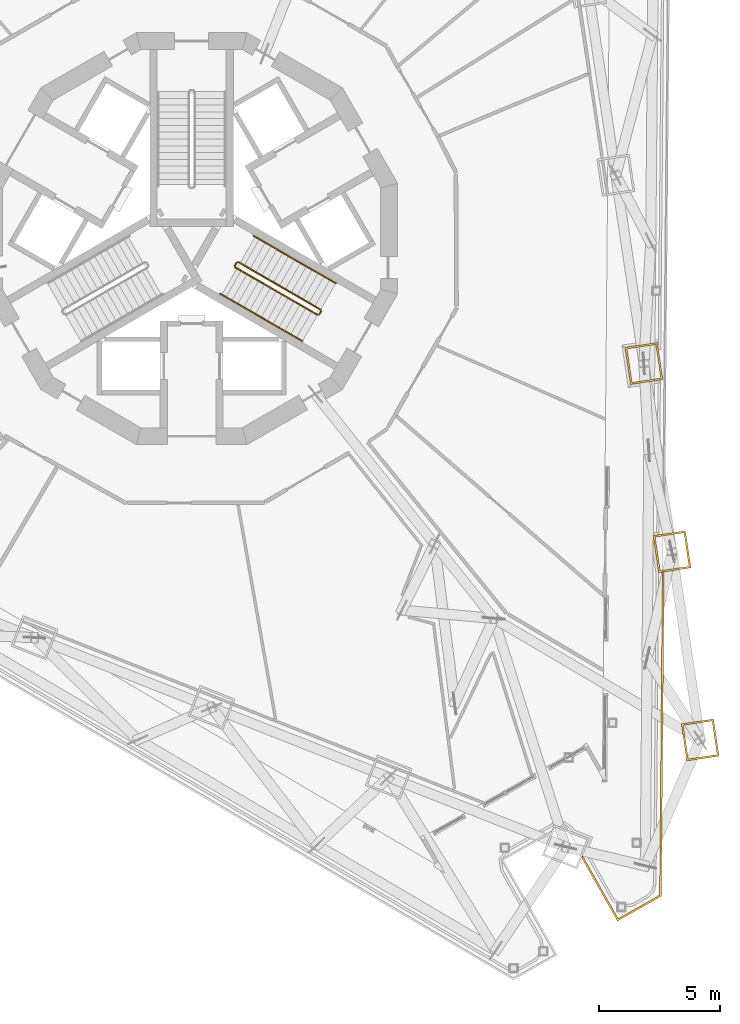
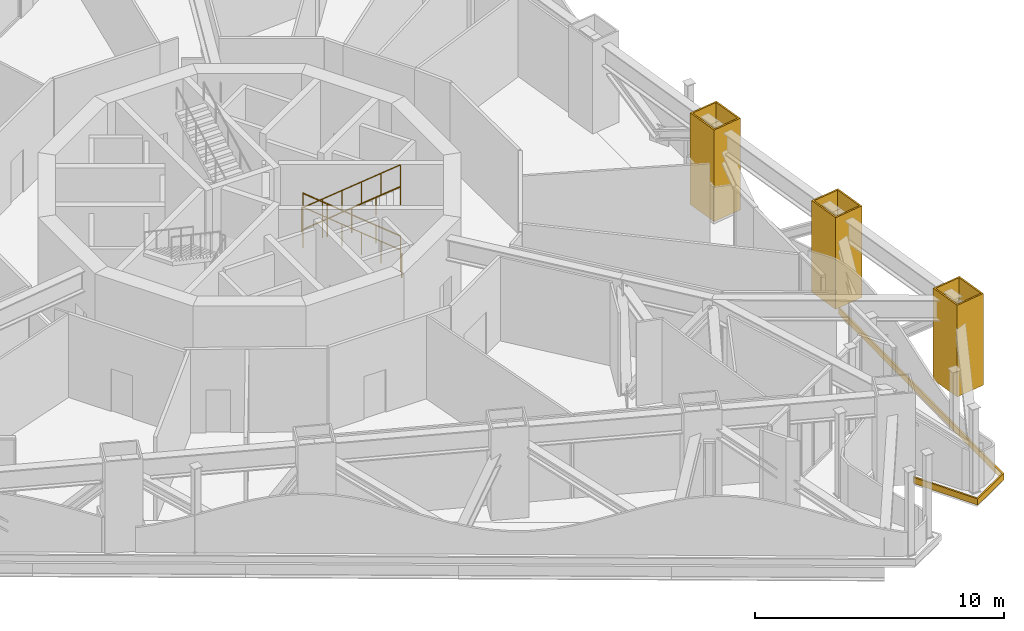
# One storey, part 22 of 27: 8 railings, 4 coverings.
"""IFC4 building model written with IfcOpenShell, lengths in metres."""

from ifc_helpers import new_model, si_unit, direction, frame, origin, origin_2d, place, context, subcontext, project, spatial, polyline, circle, outline, extrude, material, layer, layer_set, type_object, element, save


model = new_model("IFC4")

# Units and contexts
model_context = context("Model", 3, precision=1e-05, world=origin(), true_north=direction((0.0, 1.0)))
body_context = subcontext(model_context, "Body", "Model", "MODEL_VIEW")
ifc_project = project(units=[si_unit("LENGTHUNIT", "METRE"), si_unit("AREAUNIT", "SQUARE_METRE"), si_unit("VOLUMEUNIT", "CUBIC_METRE"), si_unit("PLANEANGLEUNIT", "RADIAN"), si_unit("MASSUNIT", "GRAM", prefix="KILO")], contexts=[model_context])

# Site, building, storey
site_placement = place(None, origin())
site = spatial("IfcSite", under=ifc_project, at=site_placement, CompositionType="ELEMENT")
building_placement = place(site_placement, origin())
building = spatial("IfcBuilding", under=site, at=building_placement, Name="Trine Commons Tower", CompositionType="ELEMENT")
storey_placement = place(building_placement, frame((0.0, 0.0, 193.5)))
storey = spatial("IfcBuildingStorey", under=building, at=storey_placement, Name="L50", CompositionType="ELEMENT", Elevation=193.5)

# Coverings
ifc_material_1 = material(Name="Limestone, honed", Category="masonry")
ifc_layer_1 = layer(ifc_material_1, 0.074951171875)
ifc_layer_set_1 = layer_set([ifc_layer_1], Name="Limestone, honed")
covering_type_1 = type_object("IfcCoveringType", Name="Limestone column cladding 75", PredefinedType="CLADDING", material=ifc_layer_set_1)
covering_1_placement = place(storey_placement, origin())
element("IfcCovering", 1, at=covering_1_placement, inside=storey, type_object=covering_type_1, Name="Limestone pier cladding 6-19", PredefinedType="CLADDING", context=body_context, shape_type="SweptSolid", body=[
    extrude(outline(polyline([(99.20947265625, 58.216796875), (97.87451171875, 58.01708984375), (98.103515625, 56.484130859375), (99.438720703125, 56.68359375), (99.20947265625, 58.216796875)]), holes=[polyline([(99.146484375, 58.13134765625), (97.959716796875, 57.9541015625), (98.16650390625, 56.5693359375), (99.353515625, 56.746826171875), (99.146484375, 58.13134765625)])]), origin(), (0.0, 0.0, 1.0), 4.5),
])
covering_2_placement = place(storey_placement, origin())
element("IfcCovering", 2, at=covering_2_placement, inside=storey, type_object=covering_type_1, Name="Limestone pier cladding 6-20", PredefinedType="CLADDING", context=body_context, shape_type="SweptSolid", body=[
    extrude(outline(polyline([(100.369873046875, 50.452392578125), (99.034912109375, 50.252685546875), (99.263916015625, 48.7197265625), (100.59912109375, 48.91943359375), (100.369873046875, 50.452392578125)]), holes=[polyline([(100.306884765625, 50.3671875), (99.1201171875, 50.189697265625), (99.326904296875, 48.80517578125), (100.513916015625, 48.982421875), (100.306884765625, 50.3671875)])]), origin(), (0.0, 0.0, 1.0), 4.5),
])
covering_3_placement = place(storey_placement, origin())
element("IfcCovering", 3, at=covering_3_placement, inside=storey, type_object=covering_type_1, Name="Limestone pier cladding 6-21", PredefinedType="CLADDING", context=body_context, shape_type="SweptSolid", body=[
    extrude(outline(polyline([(101.5302734375, 42.68798828125), (100.1953125, 42.48828125), (100.42431640625, 40.955322265625), (101.759521484375, 41.155029296875), (101.5302734375, 42.68798828125)]), holes=[polyline([(101.46728515625, 42.602783203125), (100.280517578125, 42.42529296875), (100.4873046875, 41.040771484375), (101.67431640625, 41.218017578125), (101.46728515625, 42.602783203125)])]), origin(), (0.0, 0.0, 1.0), 4.5),
])
ifc_layer_2 = layer(ifc_material_1, 0.074951171875)
ifc_layer_set_2 = layer_set([ifc_layer_2], Name="Limestone, honed")
covering_type_2 = type_object("IfcCoveringType", Name="Limestone spandrel panel 75", PredefinedType="CLADDING", material=ifc_layer_set_2)
covering_4_placement = place(storey_placement, frame((0.0, 0.0, -0.300048828125)))
element("IfcCovering", 4, at=covering_4_placement, inside=storey, type_object=covering_type_2, Name="Limestone spandrel panel 5-05", PredefinedType="CLADDING", context=body_context, shape_type="SweptSolid", body=[
    extrude(outline(polyline([(96.086181640625, 36.96142578125), (97.564208984375, 34.349365234375), (99.376708984375, 35.374755859375), (99.493408203125, 48.754150390625), (99.418212890625, 48.742919921875), (99.302001953125, 35.418701171875), (97.592529296875, 34.45166015625), (96.12158203125, 37.05126953125), (96.086181640625, 36.96142578125)])), origin(), (0.0, 0.0, 1.0), 0.300048828125),
])

# Railings
ifc_material_2 = material(Name="Stainless steel balustrade", Category="steel")
railing_type_1 = type_object("IfcRailingType", Name="Stair guard, steel balustrade 1100", PredefinedType="GUARDRAIL", material=ifc_material_2)
railing_1_placement = place(storey_placement, frame((85.31982421875, 59.572998046875, 0.14990234375)))
element("IfcRailing", 5, at=railing_1_placement, inside=storey, type_object=railing_type_1, Name="L50 ST3C stair guard 1", PredefinedType="GUARDRAIL", context=body_context, shape_type="SweptSolid", body=[
    extrude(circle(Radius=0.02392578125, at=origin_2d()), frame((0.0, 0.0, 1.076171875), z_axis=(-0.763374939589, 0.440731680332, 0.472243885677), x_axis=(-0.499997407846, -0.86602690036, 0.0)), (0.0, 0.0, 1.0), 4.447021484375),
    extrude(circle(Radius=0.02099609375, at=origin_2d()), origin(), (0.0, 0.0, 1.0), 1.052001953125),
    extrude(circle(Radius=0.02099609375, at=origin_2d()), frame((-0.678955078125, 0.39208984375, 0.419921875)), (0.0, 0.0, 1.0), 1.052001953125),
    extrude(circle(Radius=0.02099609375, at=origin_2d()), frame((-1.35791015625, 0.783935546875, 0.840087890625)), (0.0, 0.0, 1.0), 1.052001953125),
    extrude(circle(Radius=0.02099609375, at=origin_2d()), frame((-2.036865234375, 1.176025390625, 1.260009765625)), (0.0, 0.0, 1.0), 1.052001953125),
    extrude(circle(Radius=0.02099609375, at=origin_2d()), frame((-2.7158203125, 1.56787109375, 1.68017578125)), (0.0, 0.0, 1.0), 1.052001953125),
    extrude(circle(Radius=0.02099609375, at=origin_2d()), frame((-3.394775390625, 1.9599609375, 2.10009765625)), (0.0, 0.0, 1.0), 1.052001953125),
])
railing_2_placement = place(storey_placement, frame((81.856689453125, 61.5146484375, 2.25)))
element("IfcRailing", 6, at=railing_2_placement, inside=storey, type_object=railing_type_1, Name="L50 ST3C stair guard 2", PredefinedType="GUARDRAIL", context=body_context, shape_type="SweptSolid", body=[
    extrude(circle(Radius=0.02392578125, at=origin_2d()), frame((0.0, 0.0, 1.076171875), z_axis=(-0.499816412211, -0.866131372301, 0.0), x_axis=(0.866131372301, -0.499816412211, 0.0)), (0.0, 0.0, 1.0), 0.14990234375),
    extrude(circle(Radius=0.02099609375, at=origin_2d()), origin(), (0.0, 0.0, 1.0), 1.052001953125),
    extrude(circle(Radius=0.02099609375, at=origin_2d()), frame((-0.074951171875, -0.1298828125, 0.0)), (0.0, 0.0, 1.0), 1.052001953125),
])
railing_3_placement = place(storey_placement, frame((81.800048828125, 61.31640625, 2.39990234375)))
element("IfcRailing", 7, at=railing_3_placement, inside=storey, type_object=railing_type_1, Name="L50 ST3C stair guard 3", PredefinedType="GUARDRAIL", context=body_context, shape_type="SweptSolid", body=[
    extrude(circle(Radius=0.02392578125, at=origin_2d()), frame((0.0, 0.0, 1.076171875), z_axis=(0.763374939589, -0.440731680332, 0.472243885677), x_axis=(0.499997407846, 0.86602690036, 0.0)), (0.0, 0.0, 1.0), 4.447021484375),
    extrude(circle(Radius=0.02099609375, at=origin_2d()), origin(), (0.0, 0.0, 1.0), 1.052001953125),
    extrude(circle(Radius=0.02099609375, at=origin_2d()), frame((0.678955078125, -0.39208984375, 0.419921875)), (0.0, 0.0, 1.0), 1.052001953125),
    extrude(circle(Radius=0.02099609375, at=origin_2d()), frame((1.35791015625, -0.783935546875, 0.840087890625)), (0.0, 0.0, 1.0), 1.052001953125),
    extrude(circle(Radius=0.02099609375, at=origin_2d()), frame((2.036865234375, -1.176025390625, 1.260009765625)), (0.0, 0.0, 1.0), 1.052001953125),
    extrude(circle(Radius=0.02099609375, at=origin_2d()), frame((2.7158203125, -1.56787109375, 1.68017578125)), (0.0, 0.0, 1.0), 1.052001953125),
    extrude(circle(Radius=0.02099609375, at=origin_2d()), frame((3.394775390625, -1.9599609375, 2.10009765625)), (0.0, 0.0, 1.0), 1.052001953125),
])
railing_4_placement = place(storey_placement, frame((85.338134765625, 59.504638671875, 0.0)))
element("IfcRailing", 8, at=railing_4_placement, inside=storey, type_object=railing_type_1, Name="L50 ST3C stair guard 4", PredefinedType="GUARDRAIL", context=body_context, shape_type="SweptSolid", body=[
    extrude(circle(Radius=0.02392578125, at=origin_2d()), frame((0.0, 0.0, 1.076171875), z_axis=(-0.499816412211, -0.866131372301, 0.0), x_axis=(0.866131372301, -0.499816412211, 0.0)), (0.0, 0.0, 1.0), 0.14990234375),
    extrude(circle(Radius=0.02099609375, at=origin_2d()), origin(), (0.0, 0.0, 1.0), 1.052001953125),
    extrude(circle(Radius=0.02099609375, at=origin_2d()), frame((-0.074951171875, -0.1298828125, 0.0)), (0.0, 0.0, 1.0), 1.052001953125),
])
ifc_material_3 = material(Name="Stainless steel handrail", Category="steel")
railing_type_2 = type_object("IfcRailingType", Name="Stair handrail, steel 900", PredefinedType="HANDRAIL", material=ifc_material_3)
railing_5_placement = place(storey_placement, frame((85.94482421875, 60.655517578125, 0.14990234375)))
element("IfcRailing", 9, at=railing_5_placement, inside=storey, type_object=railing_type_2, Name="L50 ST3C stair handrail 1", PredefinedType="HANDRAIL", context=body_context, shape_type="SweptSolid", body=[
    extrude(circle(Radius=0.02099609375, at=origin_2d()), frame((0.0, 0.0, 0.87890625), z_axis=(-0.763397845365, 0.440713210311, 0.472224095054), x_axis=(-0.499970440388, -0.866042469362, 0.0)), (0.0, 0.0, 1.0), 2.2236328125),
    extrude(circle(Radius=0.01513671875, at=origin_2d()), origin(), (0.0, 0.0, 1.0), 0.85791015625),
    extrude(circle(Radius=0.01513671875, at=origin_2d()), frame((-0.8486328125, 0.489990234375, 0.52490234375)), (0.0, 0.0, 1.0), 0.85791015625),
    extrude(circle(Radius=0.01513671875, at=origin_2d()), frame((-1.697509765625, 0.97998046875, 1.050048828125)), (0.0, 0.0, 1.0), 0.85791015625),
])
railing_6_placement = place(storey_placement, frame((84.247314453125, 61.635498046875, 1.199951171875)))
element("IfcRailing", 10, at=railing_6_placement, inside=storey, type_object=railing_type_2, Name="L50 ST3C stair handrail 2", PredefinedType="HANDRAIL", context=body_context, shape_type="SweptSolid", body=[
    extrude(circle(Radius=0.02099609375, at=origin_2d()), frame((0.0, 0.0, 0.87890625), z_axis=(-0.763352030933, 0.440750151347, 0.472263677365), x_axis=(-0.500024377727, -0.866011328839, 0.0)), (0.0, 0.0, 1.0), 2.223388671875),
    extrude(circle(Radius=0.01513671875, at=origin_2d()), origin(), (0.0, 0.0, 1.0), 0.85791015625),
    extrude(circle(Radius=0.01513671875, at=origin_2d()), frame((-0.8486328125, 0.489990234375, 0.52490234375)), (0.0, 0.0, 1.0), 0.85791015625),
    extrude(circle(Radius=0.01513671875, at=origin_2d()), frame((-1.697265625, 0.97998046875, 1.050048828125)), (0.0, 0.0, 1.0), 0.85791015625),
])
railing_7_placement = place(storey_placement, frame((81.175048828125, 60.23388671875, 2.39990234375)))
element("IfcRailing", 11, at=railing_7_placement, inside=storey, type_object=railing_type_2, Name="L50 ST3C stair handrail 3", PredefinedType="HANDRAIL", context=body_context, shape_type="SweptSolid", body=[
    extrude(circle(Radius=0.02099609375, at=origin_2d()), frame((0.0, 0.0, 0.87890625), z_axis=(0.763352030933, -0.440750151347, 0.472263677365), x_axis=(0.500024377727, 0.866011328839, 0.0)), (0.0, 0.0, 1.0), 2.223388671875),
    extrude(circle(Radius=0.01513671875, at=origin_2d()), origin(), (0.0, 0.0, 1.0), 0.85791015625),
    extrude(circle(Radius=0.01513671875, at=origin_2d()), frame((0.8486328125, -0.489990234375, 0.52490234375)), (0.0, 0.0, 1.0), 0.85791015625),
    extrude(circle(Radius=0.01513671875, at=origin_2d()), frame((1.697265625, -0.97998046875, 1.050048828125)), (0.0, 0.0, 1.0), 0.85791015625),
])
railing_8_placement = place(storey_placement, frame((82.872314453125, 59.25390625, 3.449951171875)))
element("IfcRailing", 12, at=railing_8_placement, inside=storey, type_object=railing_type_2, Name="L50 ST3C stair handrail 4", PredefinedType="HANDRAIL", context=body_context, shape_type="SweptSolid", body=[
    extrude(circle(Radius=0.02099609375, at=origin_2d()), frame((0.0, 0.0, 0.87890625), z_axis=(0.763397845365, -0.440713210311, 0.472224095054), x_axis=(0.499970440388, 0.866042469362, 0.0)), (0.0, 0.0, 1.0), 2.2236328125),
    extrude(circle(Radius=0.01513671875, at=origin_2d()), origin(), (0.0, 0.0, 1.0), 0.85791015625),
    extrude(circle(Radius=0.01513671875, at=origin_2d()), frame((0.8486328125, -0.489990234375, 0.52490234375)), (0.0, 0.0, 1.0), 0.85791015625),
    extrude(circle(Radius=0.01513671875, at=origin_2d()), frame((1.697509765625, -0.97998046875, 1.050048828125)), (0.0, 0.0, 1.0), 0.85791015625),
])

save(model, "model.ifc")
